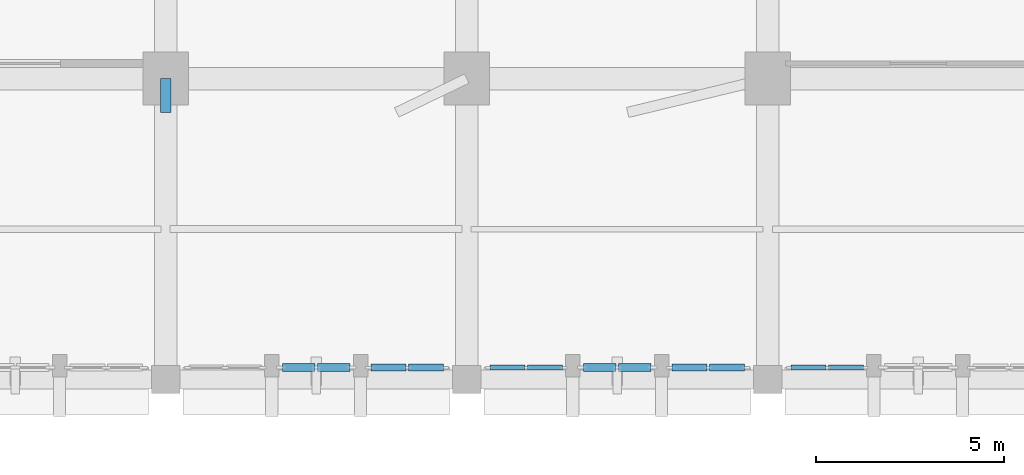
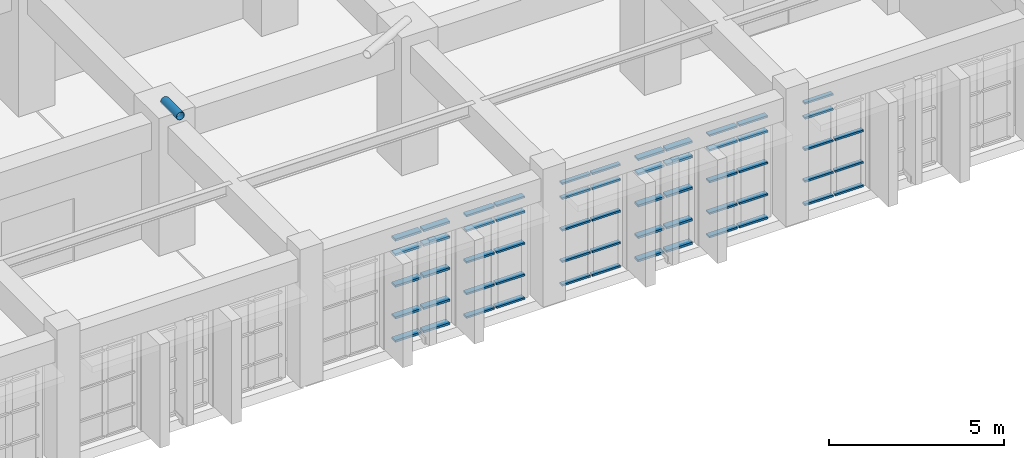
# One storey, part 60 of 155: 59 members, 6 elements without a shape of their own.
"""IFC4 building model written with IfcOpenShell, lengths in metres."""

from ifc_helpers import new_model, si_unit, direction, frame, origin, origin_2d, place, context, subcontext, project, spatial, rectangle, hollow_circle, extrude, material, layer, layer_set, material_profile, profile_set, type_object, element, aggregate, save


model = new_model("IFC4")

# Units and contexts
model_context = context("Model", 3, precision=1e-05, world=origin(), true_north=direction((0.0, 1.0)))
body_context = subcontext(model_context, "Body", "Model", "MODEL_VIEW")
ifc_project = project(units=[si_unit("LENGTHUNIT", "METRE"), si_unit("AREAUNIT", "SQUARE_METRE"), si_unit("VOLUMEUNIT", "CUBIC_METRE"), si_unit("PLANEANGLEUNIT", "RADIAN"), si_unit("MASSUNIT", "GRAM", prefix="KILO")], contexts=[model_context])

# Site, building, storey
site_placement = place(None, origin())
site = spatial("IfcSite", under=ifc_project, at=site_placement, CompositionType="ELEMENT")
building_placement = place(site_placement, origin())
building = spatial("IfcBuilding", under=site, at=building_placement, Name="Tazarka Park Arena", CompositionType="ELEMENT")
storey_placement = place(building_placement, frame((0.0, 0.0, 5.39990234375)))
storey = spatial("IfcBuildingStorey", under=building, at=storey_placement, Name="L01", CompositionType="ELEMENT", Elevation=5.39990234375)

# Curtain wall, members
ifc_material_1 = material(Name="Aluminium and low-e glass", Category="aluminium")
ifc_layer_1 = layer(ifc_material_1, 0.179931640625, Name="Aluminium and low-e glass")
ifc_layer_set_1 = layer_set([ifc_layer_1], Name="Aluminium and low-e glass")
curtain_wall_type_1 = type_object("IfcCurtainWallType", Name="CW-21", PredefinedType="NOTDEFINED", material=ifc_layer_set_1)
curtain_wall_1_placement = place(storey_placement, origin())
curtain_wall_1 = element("IfcCurtainWall", 1, at=curtain_wall_1_placement, inside=storey, type_object=curtain_wall_type_1, Name="Curtain Wall CWA-L01-021", PredefinedType="NOTDEFINED")
ifc_material_2 = material(Name="Aluminium 6060-T66", Category="aluminium")
ifc_material_profile_1 = material_profile(ifc_material_2, rectangle(XDim=0.139892578125, YDim=0.06494140625, at=origin_2d()), Name="Aluminium 6060-T66")
ifc_profile_set_1 = profile_set([ifc_material_profile_1], Name="Aluminium 6060-T66")
member_type_1 = type_object("IfcMemberType", Name="CWT-01", PredefinedType="USERDEFINED", material=ifc_profile_set_1)
member_1_placement = place(storey_placement, frame((98.543212890625, 8.320068359375, 0.03271484375), z_axis=(-1.0, 0.0, 0.0), x_axis=(0.0, -1.0, 0.0)))
member_1 = element("IfcMember", 2, at=member_1_placement, type_object=member_type_1, Name="CW-21 transom 1.1", ObjectType="TRANSOM", PredefinedType="USERDEFINED", context=body_context, shape_type="SweptSolid", body=[
    extrude(rectangle(XDim=0.139892578125, YDim=0.06494140625, at=origin_2d()), origin(), (0.0, 0.0, 1.0), 0.928955078125),
])
member_2_placement = place(storey_placement, frame((98.543212890625, 8.320068359375, 0.85009765625), z_axis=(-1.0, 0.0, 0.0), x_axis=(0.0, -1.0, 0.0)))
member_2 = element("IfcMember", 3, at=member_2_placement, type_object=member_type_1, Name="CW-21 transom 1.2", ObjectType="TRANSOM", PredefinedType="USERDEFINED", context=body_context, shape_type="SweptSolid", body=[
    extrude(rectangle(XDim=0.139892578125, YDim=0.06494140625, at=origin_2d()), origin(), (0.0, 0.0, 1.0), 0.928955078125),
])
member_3_placement = place(storey_placement, frame((98.543212890625, 8.320068359375, 1.9501953125), z_axis=(-1.0, 0.0, 0.0), x_axis=(0.0, -1.0, 0.0)))
member_3 = element("IfcMember", 4, at=member_3_placement, type_object=member_type_1, Name="CW-21 transom 1.3", ObjectType="TRANSOM", PredefinedType="USERDEFINED", context=body_context, shape_type="SweptSolid", body=[
    extrude(rectangle(XDim=0.139892578125, YDim=0.06494140625, at=origin_2d()), origin(), (0.0, 0.0, 1.0), 0.928955078125),
])
member_4_placement = place(storey_placement, frame((98.543212890625, 8.320068359375, 3.050048828125), z_axis=(-1.0, 0.0, 0.0), x_axis=(0.0, -1.0, 0.0)))
member_4 = element("IfcMember", 5, at=member_4_placement, type_object=member_type_1, Name="CW-21 transom 1.4", ObjectType="TRANSOM", PredefinedType="USERDEFINED", context=body_context, shape_type="SweptSolid", body=[
    extrude(rectangle(XDim=0.139892578125, YDim=0.06494140625, at=origin_2d()), origin(), (0.0, 0.0, 1.0), 0.928955078125),
])
member_5_placement = place(storey_placement, frame((98.543212890625, 8.320068359375, 3.567626953125), z_axis=(-1.0, 0.0, 0.0), x_axis=(0.0, -1.0, 0.0)))
member_5 = element("IfcMember", 6, at=member_5_placement, type_object=member_type_1, Name="CW-21 transom 1.5", ObjectType="TRANSOM", PredefinedType="USERDEFINED", context=body_context, shape_type="SweptSolid", body=[
    extrude(rectangle(XDim=0.139892578125, YDim=0.06494140625, at=origin_2d()), origin(), (0.0, 0.0, 1.0), 0.928955078125),
])
member_6_placement = place(storey_placement, frame((97.549072265625, 8.320068359375, 0.03271484375), z_axis=(-1.0, 0.0, 0.0), x_axis=(0.0, -1.0, 0.0)))
member_6 = element("IfcMember", 7, at=member_6_placement, type_object=member_type_1, Name="CW-21 transom 2.1", ObjectType="TRANSOM", PredefinedType="USERDEFINED", context=body_context, shape_type="SweptSolid", body=[
    extrude(rectangle(XDim=0.139892578125, YDim=0.06494140625, at=origin_2d()), origin(), (0.0, 0.0, 1.0), 0.928955078125),
])
member_7_placement = place(storey_placement, frame((97.549072265625, 8.320068359375, 0.85009765625), z_axis=(-1.0, 0.0, 0.0), x_axis=(0.0, -1.0, 0.0)))
member_7 = element("IfcMember", 8, at=member_7_placement, type_object=member_type_1, Name="CW-21 transom 2.2", ObjectType="TRANSOM", PredefinedType="USERDEFINED", context=body_context, shape_type="SweptSolid", body=[
    extrude(rectangle(XDim=0.139892578125, YDim=0.06494140625, at=origin_2d()), origin(), (0.0, 0.0, 1.0), 0.928955078125),
])
member_8_placement = place(storey_placement, frame((97.549072265625, 8.320068359375, 1.9501953125), z_axis=(-1.0, 0.0, 0.0), x_axis=(0.0, -1.0, 0.0)))
member_8 = element("IfcMember", 9, at=member_8_placement, type_object=member_type_1, Name="CW-21 transom 2.3", ObjectType="TRANSOM", PredefinedType="USERDEFINED", context=body_context, shape_type="SweptSolid", body=[
    extrude(rectangle(XDim=0.139892578125, YDim=0.06494140625, at=origin_2d()), origin(), (0.0, 0.0, 1.0), 0.928955078125),
])
member_9_placement = place(storey_placement, frame((97.549072265625, 8.320068359375, 3.050048828125), z_axis=(-1.0, 0.0, 0.0), x_axis=(0.0, -1.0, 0.0)))
member_9 = element("IfcMember", 10, at=member_9_placement, type_object=member_type_1, Name="CW-21 transom 2.4", ObjectType="TRANSOM", PredefinedType="USERDEFINED", context=body_context, shape_type="SweptSolid", body=[
    extrude(rectangle(XDim=0.139892578125, YDim=0.06494140625, at=origin_2d()), origin(), (0.0, 0.0, 1.0), 0.928955078125),
])
member_10_placement = place(storey_placement, frame((97.549072265625, 8.320068359375, 3.567626953125), z_axis=(-1.0, 0.0, 0.0), x_axis=(0.0, -1.0, 0.0)))
member_10 = element("IfcMember", 11, at=member_10_placement, type_object=member_type_1, Name="CW-21 transom 2.5", ObjectType="TRANSOM", PredefinedType="USERDEFINED", context=body_context, shape_type="SweptSolid", body=[
    extrude(rectangle(XDim=0.139892578125, YDim=0.06494140625, at=origin_2d()), origin(), (0.0, 0.0, 1.0), 0.928955078125),
])
aggregate(curtain_wall_1, [member_1, member_2, member_3, member_4, member_5, member_6, member_7, member_8, member_9, member_10])

ifc_material_3 = material(Name="Aluminium and low-e glass", Category="aluminium")
ifc_layer_2 = layer(ifc_material_3, 0.179931640625, Name="Aluminium and low-e glass")
ifc_layer_set_2 = layer_set([ifc_layer_2], Name="Aluminium and low-e glass")
curtain_wall_type_2 = type_object("IfcCurtainWallType", Name="CW-24", PredefinedType="NOTDEFINED", material=ifc_layer_set_2)
curtain_wall_2_placement = place(storey_placement, origin())
curtain_wall_2 = element("IfcCurtainWall", 12, at=curtain_wall_2_placement, inside=storey, type_object=curtain_wall_type_2, Name="Curtain Wall CWA-L01-024", PredefinedType="NOTDEFINED")
member_11_placement = place(storey_placement, frame((106.543212890625, 8.320068359375, 0.03271484375), z_axis=(-1.0, 0.0, 0.0), x_axis=(0.0, -1.0, 0.0)))
member_11 = element("IfcMember", 13, at=member_11_placement, type_object=member_type_1, Name="CW-24 transom 1.1", ObjectType="TRANSOM", PredefinedType="USERDEFINED", context=body_context, shape_type="SweptSolid", body=[
    extrude(rectangle(XDim=0.139892578125, YDim=0.06494140625, at=origin_2d()), origin(), (0.0, 0.0, 1.0), 0.928955078125),
])
member_12_placement = place(storey_placement, frame((106.543212890625, 8.320068359375, 0.85009765625), z_axis=(-1.0, 0.0, 0.0), x_axis=(0.0, -1.0, 0.0)))
member_12 = element("IfcMember", 14, at=member_12_placement, type_object=member_type_1, Name="CW-24 transom 1.2", ObjectType="TRANSOM", PredefinedType="USERDEFINED", context=body_context, shape_type="SweptSolid", body=[
    extrude(rectangle(XDim=0.139892578125, YDim=0.06494140625, at=origin_2d()), origin(), (0.0, 0.0, 1.0), 0.928955078125),
])
member_13_placement = place(storey_placement, frame((106.543212890625, 8.320068359375, 1.9501953125), z_axis=(-1.0, 0.0, 0.0), x_axis=(0.0, -1.0, 0.0)))
member_13 = element("IfcMember", 15, at=member_13_placement, type_object=member_type_1, Name="CW-24 transom 1.3", ObjectType="TRANSOM", PredefinedType="USERDEFINED", context=body_context, shape_type="SweptSolid", body=[
    extrude(rectangle(XDim=0.139892578125, YDim=0.06494140625, at=origin_2d()), origin(), (0.0, 0.0, 1.0), 0.928955078125),
])
member_14_placement = place(storey_placement, frame((105.549072265625, 8.320068359375, 0.03271484375), z_axis=(-1.0, 0.0, 0.0), x_axis=(0.0, -1.0, 0.0)))
member_14 = element("IfcMember", 16, at=member_14_placement, type_object=member_type_1, Name="CW-24 transom 2.1", ObjectType="TRANSOM", PredefinedType="USERDEFINED", context=body_context, shape_type="SweptSolid", body=[
    extrude(rectangle(XDim=0.139892578125, YDim=0.06494140625, at=origin_2d()), origin(), (0.0, 0.0, 1.0), 0.928955078125),
])
member_15_placement = place(storey_placement, frame((105.549072265625, 8.320068359375, 0.85009765625), z_axis=(-1.0, 0.0, 0.0), x_axis=(0.0, -1.0, 0.0)))
member_15 = element("IfcMember", 17, at=member_15_placement, type_object=member_type_1, Name="CW-24 transom 2.2", ObjectType="TRANSOM", PredefinedType="USERDEFINED", context=body_context, shape_type="SweptSolid", body=[
    extrude(rectangle(XDim=0.139892578125, YDim=0.06494140625, at=origin_2d()), origin(), (0.0, 0.0, 1.0), 0.928955078125),
])
member_16_placement = place(storey_placement, frame((105.549072265625, 8.320068359375, 1.9501953125), z_axis=(-1.0, 0.0, 0.0), x_axis=(0.0, -1.0, 0.0)))
member_16 = element("IfcMember", 18, at=member_16_placement, type_object=member_type_1, Name="CW-24 transom 2.3", ObjectType="TRANSOM", PredefinedType="USERDEFINED", context=body_context, shape_type="SweptSolid", body=[
    extrude(rectangle(XDim=0.139892578125, YDim=0.06494140625, at=origin_2d()), origin(), (0.0, 0.0, 1.0), 0.928955078125),
])
member_17_placement = place(storey_placement, frame((105.549072265625, 8.320068359375, 3.050048828125), z_axis=(-1.0, 0.0, 0.0), x_axis=(0.0, -1.0, 0.0)))
member_17 = element("IfcMember", 19, at=member_17_placement, type_object=member_type_1, Name="CW-24 transom 2.4", ObjectType="TRANSOM", PredefinedType="USERDEFINED", context=body_context, shape_type="SweptSolid", body=[
    extrude(rectangle(XDim=0.139892578125, YDim=0.06494140625, at=origin_2d()), origin(), (0.0, 0.0, 1.0), 0.928955078125),
])
member_18_placement = place(storey_placement, frame((105.549072265625, 8.320068359375, 3.567626953125), z_axis=(-1.0, 0.0, 0.0), x_axis=(0.0, -1.0, 0.0)))
member_18 = element("IfcMember", 20, at=member_18_placement, type_object=member_type_1, Name="CW-24 transom 2.5", ObjectType="TRANSOM", PredefinedType="USERDEFINED", context=body_context, shape_type="SweptSolid", body=[
    extrude(rectangle(XDim=0.139892578125, YDim=0.06494140625, at=origin_2d()), origin(), (0.0, 0.0, 1.0), 0.928955078125),
])
aggregate(curtain_wall_2, [member_11, member_12, member_13, member_14, member_15, member_16, member_17, member_18])

ifc_material_4 = material(Name="Aluminium and low-e glass", Category="aluminium")
ifc_layer_3 = layer(ifc_material_4, 0.179931640625, Name="Aluminium and low-e glass")
ifc_layer_set_3 = layer_set([ifc_layer_3], Name="Aluminium and low-e glass")
curtain_wall_type_3 = type_object("IfcCurtainWallType", Name="CW-16", PredefinedType="NOTDEFINED", material=ifc_layer_set_3)
curtain_wall_3_placement = place(storey_placement, origin())
curtain_wall_3 = element("IfcCurtainWall", 21, at=curtain_wall_3_placement, inside=storey, type_object=curtain_wall_type_3, Name="Curtain Wall CWA-L01-016", PredefinedType="NOTDEFINED")
ifc_material_5 = material(Name="Aluminium 6060-T66", Category="aluminium")
ifc_material_profile_2 = material_profile(ifc_material_5, rectangle(XDim=0.179931640625, YDim=0.06494140625, at=origin_2d()), Name="Aluminium 6060-T66")
ifc_profile_set_2 = profile_set([ifc_material_profile_2], Name="Aluminium 6060-T66")
member_type_2 = type_object("IfcMemberType", Name="CWT-02", PredefinedType="USERDEFINED", material=ifc_profile_set_2)
member_19_placement = place(storey_placement, frame((95.3798828125, 8.320068359375, 0.03271484375), z_axis=(-1.0, 0.0, 0.0), x_axis=(0.0, -1.0, 0.0)))
member_19 = element("IfcMember", 22, at=member_19_placement, type_object=member_type_2, Name="CW-16 transom 1.1", ObjectType="TRANSOM", PredefinedType="USERDEFINED", context=body_context, shape_type="SweptSolid", body=[
    extrude(rectangle(XDim=0.179931640625, YDim=0.06494140625, at=origin_2d()), origin(), (0.0, 0.0, 1.0), 0.928955078125),
])
member_20_placement = place(storey_placement, frame((95.3798828125, 8.320068359375, 0.85009765625), z_axis=(-1.0, 0.0, 0.0), x_axis=(0.0, -1.0, 0.0)))
member_20 = element("IfcMember", 23, at=member_20_placement, type_object=member_type_2, Name="CW-16 transom 1.2", ObjectType="TRANSOM", PredefinedType="USERDEFINED", context=body_context, shape_type="SweptSolid", body=[
    extrude(rectangle(XDim=0.179931640625, YDim=0.06494140625, at=origin_2d()), origin(), (0.0, 0.0, 1.0), 0.928955078125),
])
member_21_placement = place(storey_placement, frame((95.3798828125, 8.320068359375, 1.9501953125), z_axis=(-1.0, 0.0, 0.0), x_axis=(0.0, -1.0, 0.0)))
member_21 = element("IfcMember", 24, at=member_21_placement, type_object=member_type_2, Name="CW-16 transom 1.3", ObjectType="TRANSOM", PredefinedType="USERDEFINED", context=body_context, shape_type="SweptSolid", body=[
    extrude(rectangle(XDim=0.179931640625, YDim=0.06494140625, at=origin_2d()), origin(), (0.0, 0.0, 1.0), 0.928955078125),
])
member_22_placement = place(storey_placement, frame((95.3798828125, 8.320068359375, 3.050048828125), z_axis=(-1.0, 0.0, 0.0), x_axis=(0.0, -1.0, 0.0)))
member_22 = element("IfcMember", 25, at=member_22_placement, type_object=member_type_2, Name="CW-16 transom 1.4", ObjectType="TRANSOM", PredefinedType="USERDEFINED", context=body_context, shape_type="SweptSolid", body=[
    extrude(rectangle(XDim=0.179931640625, YDim=0.06494140625, at=origin_2d()), origin(), (0.0, 0.0, 1.0), 0.928955078125),
])
member_23_placement = place(storey_placement, frame((95.3798828125, 8.320068359375, 3.567626953125), z_axis=(-1.0, 0.0, 0.0), x_axis=(0.0, -1.0, 0.0)))
member_23 = element("IfcMember", 26, at=member_23_placement, type_object=member_type_2, Name="CW-16 transom 1.5", ObjectType="TRANSOM", PredefinedType="USERDEFINED", context=body_context, shape_type="SweptSolid", body=[
    extrude(rectangle(XDim=0.179931640625, YDim=0.06494140625, at=origin_2d()), origin(), (0.0, 0.0, 1.0), 0.928955078125),
])
member_24_placement = place(storey_placement, frame((94.3857421875, 8.320068359375, 0.03271484375), z_axis=(-1.0, 0.0, 0.0), x_axis=(0.0, -1.0, 0.0)))
member_24 = element("IfcMember", 27, at=member_24_placement, type_object=member_type_2, Name="CW-16 transom 2.1", ObjectType="TRANSOM", PredefinedType="USERDEFINED", context=body_context, shape_type="SweptSolid", body=[
    extrude(rectangle(XDim=0.179931640625, YDim=0.06494140625, at=origin_2d()), origin(), (0.0, 0.0, 1.0), 0.928955078125),
])
member_25_placement = place(storey_placement, frame((94.3857421875, 8.320068359375, 0.85009765625), z_axis=(-1.0, 0.0, 0.0), x_axis=(0.0, -1.0, 0.0)))
member_25 = element("IfcMember", 28, at=member_25_placement, type_object=member_type_2, Name="CW-16 transom 2.2", ObjectType="TRANSOM", PredefinedType="USERDEFINED", context=body_context, shape_type="SweptSolid", body=[
    extrude(rectangle(XDim=0.179931640625, YDim=0.06494140625, at=origin_2d()), origin(), (0.0, 0.0, 1.0), 0.928955078125),
])
member_26_placement = place(storey_placement, frame((94.3857421875, 8.320068359375, 1.9501953125), z_axis=(-1.0, 0.0, 0.0), x_axis=(0.0, -1.0, 0.0)))
member_26 = element("IfcMember", 29, at=member_26_placement, type_object=member_type_2, Name="CW-16 transom 2.3", ObjectType="TRANSOM", PredefinedType="USERDEFINED", context=body_context, shape_type="SweptSolid", body=[
    extrude(rectangle(XDim=0.179931640625, YDim=0.06494140625, at=origin_2d()), origin(), (0.0, 0.0, 1.0), 0.928955078125),
])
member_27_placement = place(storey_placement, frame((94.3857421875, 8.320068359375, 3.050048828125), z_axis=(-1.0, 0.0, 0.0), x_axis=(0.0, -1.0, 0.0)))
member_27 = element("IfcMember", 30, at=member_27_placement, type_object=member_type_2, Name="CW-16 transom 2.4", ObjectType="TRANSOM", PredefinedType="USERDEFINED", context=body_context, shape_type="SweptSolid", body=[
    extrude(rectangle(XDim=0.179931640625, YDim=0.06494140625, at=origin_2d()), origin(), (0.0, 0.0, 1.0), 0.928955078125),
])
member_28_placement = place(storey_placement, frame((94.3857421875, 8.320068359375, 3.567626953125), z_axis=(-1.0, 0.0, 0.0), x_axis=(0.0, -1.0, 0.0)))
member_28 = element("IfcMember", 31, at=member_28_placement, type_object=member_type_2, Name="CW-16 transom 2.5", ObjectType="TRANSOM", PredefinedType="USERDEFINED", context=body_context, shape_type="SweptSolid", body=[
    extrude(rectangle(XDim=0.179931640625, YDim=0.06494140625, at=origin_2d()), origin(), (0.0, 0.0, 1.0), 0.928955078125),
])
aggregate(curtain_wall_3, [member_19, member_20, member_21, member_22, member_23, member_24, member_25, member_26, member_27, member_28])

ifc_material_6 = material(Name="Aluminium and low-e glass", Category="aluminium")
ifc_layer_4 = layer(ifc_material_6, 0.179931640625, Name="Aluminium and low-e glass")
ifc_layer_set_4 = layer_set([ifc_layer_4], Name="Aluminium and low-e glass")
curtain_wall_type_4 = type_object("IfcCurtainWallType", Name="CW-19", PredefinedType="NOTDEFINED", material=ifc_layer_set_4)
curtain_wall_4_placement = place(storey_placement, origin())
curtain_wall_4 = element("IfcCurtainWall", 32, at=curtain_wall_4_placement, inside=storey, type_object=curtain_wall_type_4, Name="Curtain Wall CWA-L01-019", PredefinedType="NOTDEFINED")
member_29_placement = place(storey_placement, frame((103.3798828125, 8.320068359375, 0.03271484375), z_axis=(-1.0, 0.0, 0.0), x_axis=(0.0, -1.0, 0.0)))
member_29 = element("IfcMember", 33, at=member_29_placement, type_object=member_type_2, Name="CW-19 transom 1.1", ObjectType="TRANSOM", PredefinedType="USERDEFINED", context=body_context, shape_type="SweptSolid", body=[
    extrude(rectangle(XDim=0.179931640625, YDim=0.06494140625, at=origin_2d()), origin(), (0.0, 0.0, 1.0), 0.928955078125),
])
member_30_placement = place(storey_placement, frame((103.3798828125, 8.320068359375, 0.85009765625), z_axis=(-1.0, 0.0, 0.0), x_axis=(0.0, -1.0, 0.0)))
member_30 = element("IfcMember", 34, at=member_30_placement, type_object=member_type_2, Name="CW-19 transom 1.2", ObjectType="TRANSOM", PredefinedType="USERDEFINED", context=body_context, shape_type="SweptSolid", body=[
    extrude(rectangle(XDim=0.179931640625, YDim=0.06494140625, at=origin_2d()), origin(), (0.0, 0.0, 1.0), 0.928955078125),
])
member_31_placement = place(storey_placement, frame((103.3798828125, 8.320068359375, 1.9501953125), z_axis=(-1.0, 0.0, 0.0), x_axis=(0.0, -1.0, 0.0)))
member_31 = element("IfcMember", 35, at=member_31_placement, type_object=member_type_2, Name="CW-19 transom 1.3", ObjectType="TRANSOM", PredefinedType="USERDEFINED", context=body_context, shape_type="SweptSolid", body=[
    extrude(rectangle(XDim=0.179931640625, YDim=0.06494140625, at=origin_2d()), origin(), (0.0, 0.0, 1.0), 0.928955078125),
])
member_32_placement = place(storey_placement, frame((103.3798828125, 8.320068359375, 3.050048828125), z_axis=(-1.0, 0.0, 0.0), x_axis=(0.0, -1.0, 0.0)))
member_32 = element("IfcMember", 36, at=member_32_placement, type_object=member_type_2, Name="CW-19 transom 1.4", ObjectType="TRANSOM", PredefinedType="USERDEFINED", context=body_context, shape_type="SweptSolid", body=[
    extrude(rectangle(XDim=0.179931640625, YDim=0.06494140625, at=origin_2d()), origin(), (0.0, 0.0, 1.0), 0.928955078125),
])
member_33_placement = place(storey_placement, frame((103.3798828125, 8.320068359375, 3.567626953125), z_axis=(-1.0, 0.0, 0.0), x_axis=(0.0, -1.0, 0.0)))
member_33 = element("IfcMember", 37, at=member_33_placement, type_object=member_type_2, Name="CW-19 transom 1.5", ObjectType="TRANSOM", PredefinedType="USERDEFINED", context=body_context, shape_type="SweptSolid", body=[
    extrude(rectangle(XDim=0.179931640625, YDim=0.06494140625, at=origin_2d()), origin(), (0.0, 0.0, 1.0), 0.928955078125),
])
member_34_placement = place(storey_placement, frame((102.3857421875, 8.320068359375, 0.03271484375), z_axis=(-1.0, 0.0, 0.0), x_axis=(0.0, -1.0, 0.0)))
member_34 = element("IfcMember", 38, at=member_34_placement, type_object=member_type_2, Name="CW-19 transom 2.1", ObjectType="TRANSOM", PredefinedType="USERDEFINED", context=body_context, shape_type="SweptSolid", body=[
    extrude(rectangle(XDim=0.179931640625, YDim=0.06494140625, at=origin_2d()), origin(), (0.0, 0.0, 1.0), 0.928955078125),
])
member_35_placement = place(storey_placement, frame((102.3857421875, 8.320068359375, 0.85009765625), z_axis=(-1.0, 0.0, 0.0), x_axis=(0.0, -1.0, 0.0)))
member_35 = element("IfcMember", 39, at=member_35_placement, type_object=member_type_2, Name="CW-19 transom 2.2", ObjectType="TRANSOM", PredefinedType="USERDEFINED", context=body_context, shape_type="SweptSolid", body=[
    extrude(rectangle(XDim=0.179931640625, YDim=0.06494140625, at=origin_2d()), origin(), (0.0, 0.0, 1.0), 0.928955078125),
])
member_36_placement = place(storey_placement, frame((102.3857421875, 8.320068359375, 1.9501953125), z_axis=(-1.0, 0.0, 0.0), x_axis=(0.0, -1.0, 0.0)))
member_36 = element("IfcMember", 40, at=member_36_placement, type_object=member_type_2, Name="CW-19 transom 2.3", ObjectType="TRANSOM", PredefinedType="USERDEFINED", context=body_context, shape_type="SweptSolid", body=[
    extrude(rectangle(XDim=0.179931640625, YDim=0.06494140625, at=origin_2d()), origin(), (0.0, 0.0, 1.0), 0.928955078125),
])
member_37_placement = place(storey_placement, frame((102.3857421875, 8.320068359375, 3.050048828125), z_axis=(-1.0, 0.0, 0.0), x_axis=(0.0, -1.0, 0.0)))
member_37 = element("IfcMember", 41, at=member_37_placement, type_object=member_type_2, Name="CW-19 transom 2.4", ObjectType="TRANSOM", PredefinedType="USERDEFINED", context=body_context, shape_type="SweptSolid", body=[
    extrude(rectangle(XDim=0.179931640625, YDim=0.06494140625, at=origin_2d()), origin(), (0.0, 0.0, 1.0), 0.928955078125),
])
member_38_placement = place(storey_placement, frame((102.3857421875, 8.320068359375, 3.567626953125), z_axis=(-1.0, 0.0, 0.0), x_axis=(0.0, -1.0, 0.0)))
member_38 = element("IfcMember", 42, at=member_38_placement, type_object=member_type_2, Name="CW-19 transom 2.5", ObjectType="TRANSOM", PredefinedType="USERDEFINED", context=body_context, shape_type="SweptSolid", body=[
    extrude(rectangle(XDim=0.179931640625, YDim=0.06494140625, at=origin_2d()), origin(), (0.0, 0.0, 1.0), 0.928955078125),
])
aggregate(curtain_wall_4, [member_29, member_30, member_31, member_32, member_33, member_34, member_35, member_36, member_37, member_38])

ifc_material_7 = material(Name="Aluminium and low-e glass", Category="aluminium")
ifc_layer_5 = layer(ifc_material_7, 0.179931640625, Name="Aluminium and low-e glass")
ifc_layer_set_5 = layer_set([ifc_layer_5], Name="Aluminium and low-e glass")
curtain_wall_type_5 = type_object("IfcCurtainWallType", Name="CW-17", PredefinedType="NOTDEFINED", material=ifc_layer_set_5)
curtain_wall_5_placement = place(storey_placement, origin())
curtain_wall_5 = element("IfcCurtainWall", 43, at=curtain_wall_5_placement, inside=storey, type_object=curtain_wall_type_5, Name="Curtain Wall CWA-L01-017", PredefinedType="NOTDEFINED")
ifc_material_8 = material(Name="Aluminium 6060-T66", Category="aluminium")
ifc_material_profile_3 = material_profile(ifc_material_8, rectangle(XDim=0.2099609375, YDim=0.074951171875, at=origin_2d()), Name="Aluminium 6060-T66")
ifc_profile_set_3 = profile_set([ifc_material_profile_3], Name="Aluminium 6060-T66")
member_type_3 = type_object("IfcMemberType", Name="CWT-03", PredefinedType="USERDEFINED", material=ifc_profile_set_3)
member_39_placement = place(storey_placement, frame((92.896728515625, 8.320068359375, 0.03759765625), z_axis=(-1.0, 0.0, 0.0), x_axis=(0.0, -1.0, 0.0)))
member_39 = element("IfcMember", 44, at=member_39_placement, type_object=member_type_3, Name="CW-17 transom 1.1", ObjectType="TRANSOM", PredefinedType="USERDEFINED", context=body_context, shape_type="SweptSolid", body=[
    extrude(rectangle(XDim=0.2099609375, YDim=0.074951171875, at=origin_2d()), origin(), (0.0, 0.0, 1.0), 0.859130859375),
])
member_40_placement = place(storey_placement, frame((92.896728515625, 8.320068359375, 0.85009765625), z_axis=(-1.0, 0.0, 0.0), x_axis=(0.0, -1.0, 0.0)))
member_40 = element("IfcMember", 45, at=member_40_placement, type_object=member_type_3, Name="CW-17 transom 1.2", ObjectType="TRANSOM", PredefinedType="USERDEFINED", context=body_context, shape_type="SweptSolid", body=[
    extrude(rectangle(XDim=0.2099609375, YDim=0.074951171875, at=origin_2d()), origin(), (0.0, 0.0, 1.0), 0.859130859375),
])
member_41_placement = place(storey_placement, frame((92.896728515625, 8.320068359375, 1.9501953125), z_axis=(-1.0, 0.0, 0.0), x_axis=(0.0, -1.0, 0.0)))
member_41 = element("IfcMember", 46, at=member_41_placement, type_object=member_type_3, Name="CW-17 transom 1.3", ObjectType="TRANSOM", PredefinedType="USERDEFINED", context=body_context, shape_type="SweptSolid", body=[
    extrude(rectangle(XDim=0.2099609375, YDim=0.074951171875, at=origin_2d()), origin(), (0.0, 0.0, 1.0), 0.859130859375),
])
member_42_placement = place(storey_placement, frame((92.896728515625, 8.320068359375, 3.050048828125), z_axis=(-1.0, 0.0, 0.0), x_axis=(0.0, -1.0, 0.0)))
member_42 = element("IfcMember", 47, at=member_42_placement, type_object=member_type_3, Name="CW-17 transom 1.4", ObjectType="TRANSOM", PredefinedType="USERDEFINED", context=body_context, shape_type="SweptSolid", body=[
    extrude(rectangle(XDim=0.2099609375, YDim=0.074951171875, at=origin_2d()), origin(), (0.0, 0.0, 1.0), 0.859130859375),
])
member_43_placement = place(storey_placement, frame((92.896728515625, 8.320068359375, 3.5625), z_axis=(-1.0, 0.0, 0.0), x_axis=(0.0, -1.0, 0.0)))
member_43 = element("IfcMember", 48, at=member_43_placement, type_object=member_type_3, Name="CW-17 transom 1.5", ObjectType="TRANSOM", PredefinedType="USERDEFINED", context=body_context, shape_type="SweptSolid", body=[
    extrude(rectangle(XDim=0.2099609375, YDim=0.074951171875, at=origin_2d()), origin(), (0.0, 0.0, 1.0), 0.859130859375),
])
member_44_placement = place(storey_placement, frame((91.96240234375, 8.320068359375, 0.03759765625), z_axis=(-1.0, 0.0, 0.0), x_axis=(0.0, -1.0, 0.0)))
member_44 = element("IfcMember", 49, at=member_44_placement, type_object=member_type_3, Name="CW-17 transom 2.1", ObjectType="TRANSOM", PredefinedType="USERDEFINED", context=body_context, shape_type="SweptSolid", body=[
    extrude(rectangle(XDim=0.2099609375, YDim=0.074951171875, at=origin_2d()), origin(), (0.0, 0.0, 1.0), 0.859130859375),
])
member_45_placement = place(storey_placement, frame((91.96240234375, 8.320068359375, 0.85009765625), z_axis=(-1.0, 0.0, 0.0), x_axis=(0.0, -1.0, 0.0)))
member_45 = element("IfcMember", 50, at=member_45_placement, type_object=member_type_3, Name="CW-17 transom 2.2", ObjectType="TRANSOM", PredefinedType="USERDEFINED", context=body_context, shape_type="SweptSolid", body=[
    extrude(rectangle(XDim=0.2099609375, YDim=0.074951171875, at=origin_2d()), origin(), (0.0, 0.0, 1.0), 0.859130859375),
])
member_46_placement = place(storey_placement, frame((91.96240234375, 8.320068359375, 1.9501953125), z_axis=(-1.0, 0.0, 0.0), x_axis=(0.0, -1.0, 0.0)))
member_46 = element("IfcMember", 51, at=member_46_placement, type_object=member_type_3, Name="CW-17 transom 2.3", ObjectType="TRANSOM", PredefinedType="USERDEFINED", context=body_context, shape_type="SweptSolid", body=[
    extrude(rectangle(XDim=0.2099609375, YDim=0.074951171875, at=origin_2d()), origin(), (0.0, 0.0, 1.0), 0.859130859375),
])
member_47_placement = place(storey_placement, frame((91.96240234375, 8.320068359375, 3.050048828125), z_axis=(-1.0, 0.0, 0.0), x_axis=(0.0, -1.0, 0.0)))
member_47 = element("IfcMember", 52, at=member_47_placement, type_object=member_type_3, Name="CW-17 transom 2.4", ObjectType="TRANSOM", PredefinedType="USERDEFINED", context=body_context, shape_type="SweptSolid", body=[
    extrude(rectangle(XDim=0.2099609375, YDim=0.074951171875, at=origin_2d()), origin(), (0.0, 0.0, 1.0), 0.859130859375),
])
member_48_placement = place(storey_placement, frame((91.96240234375, 8.320068359375, 3.5625), z_axis=(-1.0, 0.0, 0.0), x_axis=(0.0, -1.0, 0.0)))
member_48 = element("IfcMember", 53, at=member_48_placement, type_object=member_type_3, Name="CW-17 transom 2.5", ObjectType="TRANSOM", PredefinedType="USERDEFINED", context=body_context, shape_type="SweptSolid", body=[
    extrude(rectangle(XDim=0.2099609375, YDim=0.074951171875, at=origin_2d()), origin(), (0.0, 0.0, 1.0), 0.859130859375),
])
aggregate(curtain_wall_5, [member_39, member_40, member_41, member_42, member_43, member_44, member_45, member_46, member_47, member_48])

ifc_material_9 = material(Name="Aluminium and low-e glass", Category="aluminium")
ifc_layer_6 = layer(ifc_material_9, 0.179931640625, Name="Aluminium and low-e glass")
ifc_layer_set_6 = layer_set([ifc_layer_6], Name="Aluminium and low-e glass")
curtain_wall_type_6 = type_object("IfcCurtainWallType", Name="CW-20", PredefinedType="NOTDEFINED", material=ifc_layer_set_6)
curtain_wall_6_placement = place(storey_placement, origin())
curtain_wall_6 = element("IfcCurtainWall", 54, at=curtain_wall_6_placement, inside=storey, type_object=curtain_wall_type_6, Name="Curtain Wall CWA-L01-020", PredefinedType="NOTDEFINED")
member_49_placement = place(storey_placement, frame((100.896728515625, 8.320068359375, 0.03759765625), z_axis=(-1.0, 0.0, 0.0), x_axis=(0.0, -1.0, 0.0)))
member_49 = element("IfcMember", 55, at=member_49_placement, type_object=member_type_3, Name="CW-20 transom 1.1", ObjectType="TRANSOM", PredefinedType="USERDEFINED", context=body_context, shape_type="SweptSolid", body=[
    extrude(rectangle(XDim=0.2099609375, YDim=0.074951171875, at=origin_2d()), origin(), (0.0, 0.0, 1.0), 0.859130859375),
])
member_50_placement = place(storey_placement, frame((100.896728515625, 8.320068359375, 0.85009765625), z_axis=(-1.0, 0.0, 0.0), x_axis=(0.0, -1.0, 0.0)))
member_50 = element("IfcMember", 56, at=member_50_placement, type_object=member_type_3, Name="CW-20 transom 1.2", ObjectType="TRANSOM", PredefinedType="USERDEFINED", context=body_context, shape_type="SweptSolid", body=[
    extrude(rectangle(XDim=0.2099609375, YDim=0.074951171875, at=origin_2d()), origin(), (0.0, 0.0, 1.0), 0.859130859375),
])
member_51_placement = place(storey_placement, frame((100.896728515625, 8.320068359375, 1.9501953125), z_axis=(-1.0, 0.0, 0.0), x_axis=(0.0, -1.0, 0.0)))
member_51 = element("IfcMember", 57, at=member_51_placement, type_object=member_type_3, Name="CW-20 transom 1.3", ObjectType="TRANSOM", PredefinedType="USERDEFINED", context=body_context, shape_type="SweptSolid", body=[
    extrude(rectangle(XDim=0.2099609375, YDim=0.074951171875, at=origin_2d()), origin(), (0.0, 0.0, 1.0), 0.859130859375),
])
member_52_placement = place(storey_placement, frame((100.896728515625, 8.320068359375, 3.050048828125), z_axis=(-1.0, 0.0, 0.0), x_axis=(0.0, -1.0, 0.0)))
member_52 = element("IfcMember", 58, at=member_52_placement, type_object=member_type_3, Name="CW-20 transom 1.4", ObjectType="TRANSOM", PredefinedType="USERDEFINED", context=body_context, shape_type="SweptSolid", body=[
    extrude(rectangle(XDim=0.2099609375, YDim=0.074951171875, at=origin_2d()), origin(), (0.0, 0.0, 1.0), 0.859130859375),
])
member_53_placement = place(storey_placement, frame((100.896728515625, 8.320068359375, 3.5625), z_axis=(-1.0, 0.0, 0.0), x_axis=(0.0, -1.0, 0.0)))
member_53 = element("IfcMember", 59, at=member_53_placement, type_object=member_type_3, Name="CW-20 transom 1.5", ObjectType="TRANSOM", PredefinedType="USERDEFINED", context=body_context, shape_type="SweptSolid", body=[
    extrude(rectangle(XDim=0.2099609375, YDim=0.074951171875, at=origin_2d()), origin(), (0.0, 0.0, 1.0), 0.859130859375),
])
member_54_placement = place(storey_placement, frame((99.96240234375, 8.320068359375, 0.03759765625), z_axis=(-1.0, 0.0, 0.0), x_axis=(0.0, -1.0, 0.0)))
member_54 = element("IfcMember", 60, at=member_54_placement, type_object=member_type_3, Name="CW-20 transom 2.1", ObjectType="TRANSOM", PredefinedType="USERDEFINED", context=body_context, shape_type="SweptSolid", body=[
    extrude(rectangle(XDim=0.2099609375, YDim=0.074951171875, at=origin_2d()), origin(), (0.0, 0.0, 1.0), 0.859130859375),
])
member_55_placement = place(storey_placement, frame((99.96240234375, 8.320068359375, 0.85009765625), z_axis=(-1.0, 0.0, 0.0), x_axis=(0.0, -1.0, 0.0)))
member_55 = element("IfcMember", 61, at=member_55_placement, type_object=member_type_3, Name="CW-20 transom 2.2", ObjectType="TRANSOM", PredefinedType="USERDEFINED", context=body_context, shape_type="SweptSolid", body=[
    extrude(rectangle(XDim=0.2099609375, YDim=0.074951171875, at=origin_2d()), origin(), (0.0, 0.0, 1.0), 0.859130859375),
])
member_56_placement = place(storey_placement, frame((99.96240234375, 8.320068359375, 1.9501953125), z_axis=(-1.0, 0.0, 0.0), x_axis=(0.0, -1.0, 0.0)))
member_56 = element("IfcMember", 62, at=member_56_placement, type_object=member_type_3, Name="CW-20 transom 2.3", ObjectType="TRANSOM", PredefinedType="USERDEFINED", context=body_context, shape_type="SweptSolid", body=[
    extrude(rectangle(XDim=0.2099609375, YDim=0.074951171875, at=origin_2d()), origin(), (0.0, 0.0, 1.0), 0.859130859375),
])
member_57_placement = place(storey_placement, frame((99.96240234375, 8.320068359375, 3.050048828125), z_axis=(-1.0, 0.0, 0.0), x_axis=(0.0, -1.0, 0.0)))
member_57 = element("IfcMember", 63, at=member_57_placement, type_object=member_type_3, Name="CW-20 transom 2.4", ObjectType="TRANSOM", PredefinedType="USERDEFINED", context=body_context, shape_type="SweptSolid", body=[
    extrude(rectangle(XDim=0.2099609375, YDim=0.074951171875, at=origin_2d()), origin(), (0.0, 0.0, 1.0), 0.859130859375),
])
member_58_placement = place(storey_placement, frame((99.96240234375, 8.320068359375, 3.5625), z_axis=(-1.0, 0.0, 0.0), x_axis=(0.0, -1.0, 0.0)))
member_58 = element("IfcMember", 64, at=member_58_placement, type_object=member_type_3, Name="CW-20 transom 2.5", ObjectType="TRANSOM", PredefinedType="USERDEFINED", context=body_context, shape_type="SweptSolid", body=[
    extrude(rectangle(XDim=0.2099609375, YDim=0.074951171875, at=origin_2d()), origin(), (0.0, 0.0, 1.0), 0.859130859375),
])
aggregate(curtain_wall_6, [member_49, member_50, member_51, member_52, member_53, member_54, member_55, member_56, member_57, member_58])

# Member
ifc_material_10 = material(Name="Steel S355", Category="steel")
ifc_material_profile_4 = material_profile(ifc_material_10, hollow_circle(Radius=0.136474609375, WallThickness=0.012451171875, at=origin_2d()), Name="Steel S355")
ifc_profile_set_4 = profile_set([ifc_material_profile_4], Name="Steel S355")
member_type_4 = type_object("IfcMemberType", Name="MEM-SR-01", PredefinedType="STRUT", material=ifc_profile_set_4)
member_59_placement = place(storey_placement, frame((88.0, 16.0, 4.800048828125), z_axis=(0.0, -1.0, 0.0), x_axis=(1.0, 0.0, 0.0)))
element("IfcMember", 65, at=member_59_placement, inside=storey, type_object=member_type_4, Name="FSB-03", PredefinedType="STRUT", context=body_context, shape_type="SweptSolid", body=[
    extrude(hollow_circle(Radius=0.136474609375, WallThickness=0.012451171875, at=origin_2d()), origin(), (0.0, 0.0, 1.0), 0.89990234375),
])

save(model, "model.ifc")
